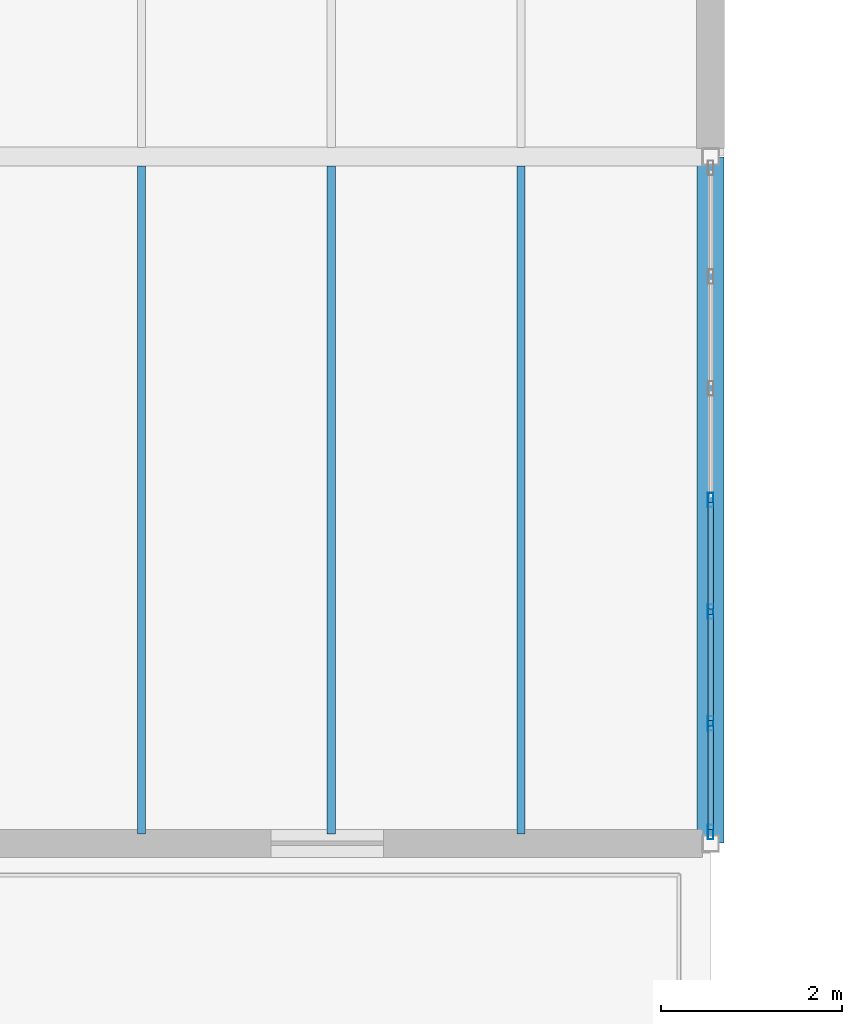
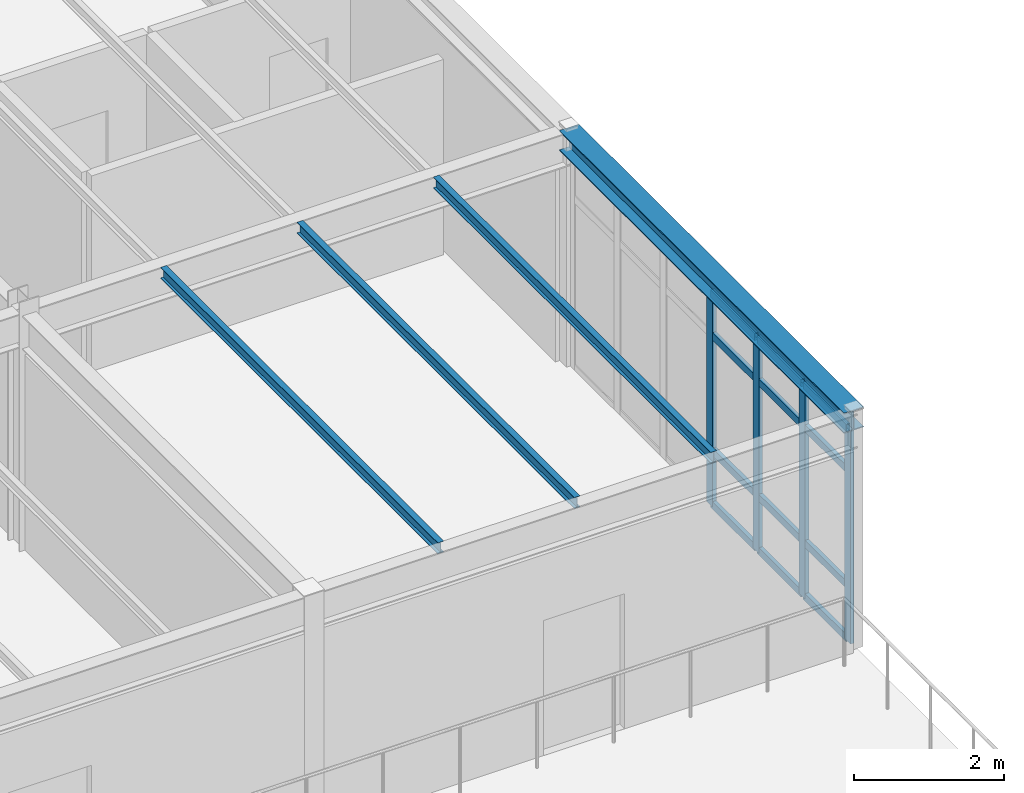
# One storey, part 18 of 65: 16 members, 4 beams, 1 element without a shape of its own.
"""IFC4 building model written with IfcOpenShell, lengths in metres."""

from ifc_helpers import new_model, si_unit, direction, frame, origin, origin_2d, place, context, subcontext, project, spatial, hollow_rectangle, i_section, extrude, material, layer, layer_set, material_profile, profile_set, type_object, element, aggregate, save


model = new_model("IFC4")

# Units and contexts
model_context = context("Model", 3, precision=1e-05, world=origin(), true_north=direction((0.0, 1.0)))
body_context = subcontext(model_context, "Body", "Model", "MODEL_VIEW")
ifc_project = project(units=[si_unit("LENGTHUNIT", "METRE"), si_unit("AREAUNIT", "SQUARE_METRE"), si_unit("VOLUMEUNIT", "CUBIC_METRE"), si_unit("PLANEANGLEUNIT", "RADIAN"), si_unit("MASSUNIT", "GRAM", prefix="KILO")], contexts=[model_context])

# Site, building, storey
site_placement = place(None, origin())
site = spatial("IfcSite", under=ifc_project, at=site_placement, CompositionType="ELEMENT")
building_placement = place(site_placement, origin())
building = spatial("IfcBuilding", under=site, at=building_placement, Name="Montecoro Central Library", CompositionType="ELEMENT")
storey_placement = place(building_placement, frame((0.0, 0.0, 17.340087890625)))
storey = spatial("IfcBuildingStorey", under=building, at=storey_placement, Name="L04", CompositionType="ELEMENT", Elevation=17.340087890625)

# Beams
ifc_material_1 = material(Name="Steel S355", Category="steel")
ifc_material_profile_1 = material_profile(ifc_material_1, i_section(OverallWidth=0.091064453125, OverallDepth=0.179931640625, WebThickness=0.00537109375, FlangeThickness=0.008056640625, at=origin_2d()), Name="IPE 180")
ifc_profile_set_1 = profile_set([ifc_material_profile_1], Name="Steel S355")
beam_type_1 = type_object("IfcBeamType", Name="BM-J-IPE180", PredefinedType="JOIST", material=ifc_profile_set_1)
for number, where, z_axis, x_axis, name in (
    (1, (110.5, 96.302001953125, 3.73486328125), (0.0, 1.0, 0.0), (-1.0, 0.0, 0.0), "V2-L04-JS-1415-NP-1"),
    (2, (112.60009765625, 96.302001953125, 3.73486328125), (0.0, 1.0, 0.0), (-1.0, 0.0, 0.0), "V2-L04-JS-1415-NP-2"),
    (3, (114.699951171875, 96.302001953125, 3.73486328125), (0.0, 1.0, 0.0), (-1.0, 0.0, 0.0), "V2-L04-JS-1415-NP-3"),
):
    element("IfcBeam", number, at=place(storey_placement, frame(where, z_axis=z_axis, x_axis=x_axis)), inside=storey, type_object=beam_type_1, Name=name, PredefinedType="JOIST", context=body_context, shape_type="SweptSolid", body=[
        extrude(i_section(OverallWidth=0.091064453125, OverallDepth=0.179931640625, WebThickness=0.00537109375, FlangeThickness=0.008056640625, at=origin_2d()), origin(), (0.0, 0.0, 1.0), 7.39599609375),
    ])
ifc_material_profile_2 = material_profile(ifc_material_1, i_section(OverallWidth=0.300048828125, OverallDepth=0.330078125, WebThickness=0.009521484375, FlangeThickness=0.0166015625, at=origin_2d()), Name="HEA 340")
ifc_profile_set_2 = profile_set([ifc_material_profile_2], Name="Steel S355")
beam_type_2 = type_object("IfcBeamType", Name="BM-SP-HEA340", PredefinedType="SPANDREL", material=ifc_profile_set_2)
beam_placement = place(storey_placement, frame((116.800048828125, 96.205078125, 3.659912109375), z_axis=(0.0, 1.0, 0.0), x_axis=(-1.0, 0.0, 0.0)))
element("IfcBeam", 4, at=beam_placement, inside=storey, type_object=beam_type_2, Name="V2-L04-BY-15-NP", PredefinedType="SPANDREL", context=body_context, shape_type="SweptSolid", body=[
    extrude(i_section(OverallWidth=0.300048828125, OverallDepth=0.330078125, WebThickness=0.009521484375, FlangeThickness=0.0166015625, at=origin_2d()), origin(), (0.0, 0.0, 1.0), 7.58984375),
])

# Curtain wall, members
ifc_material_2 = material(Name="Bronze-anodised aluminium and low-E glazing", Category="aluminium")
ifc_layer = layer(ifc_material_2, 0.159912109375)
ifc_layer_set = layer_set([ifc_layer], Name="Bronze-anodised aluminium and low-E glazing")
curtain_wall_type = type_object("IfcCurtainWallType", Name="CWT-021", PredefinedType="NOTDEFINED", material=ifc_layer_set)
curtain_wall_placement = place(storey_placement, origin())
curtain_wall = element("IfcCurtainWall", 5, at=curtain_wall_placement, inside=storey, type_object=curtain_wall_type, Name="V2-L04-CW-E0", PredefinedType="NOTDEFINED")
ifc_material_3 = material(Name="Bronze-anodised aluminium", Category="aluminium")
ifc_material_profile_3 = material_profile(ifc_material_3, hollow_rectangle(XDim=0.06005859375, YDim=0.159912109375, WallThickness=0.00390625, at=origin_2d()), Name="CWM 160x60x4.0")
ifc_profile_set_3 = profile_set([ifc_material_profile_3], Name="Bronze-anodised aluminium")
member_type_1 = type_object("IfcMemberType", Name="CWM-BRZ-60", PredefinedType="MULLION", material=ifc_profile_set_3)
member_1_placement = place(storey_placement, frame((116.800048828125, 96.322998046875, 0.0), z_axis=(0.0, 0.0, 1.0), x_axis=(-1.0, 0.0, 0.0)))
member_1 = element("IfcMember", 6, at=member_1_placement, type_object=member_type_1, Name="CW-021 mullion 1", PredefinedType="MULLION", context=body_context, shape_type="SweptSolid", body=[
    extrude(hollow_rectangle(XDim=0.06005859375, YDim=0.159912109375, WallThickness=0.00390625, at=origin_2d()), origin(), (0.0, 0.0, 1.0), 3.47998046875),
])
member_2_placement = place(storey_placement, frame((116.800048828125, 97.528564453125, 0.0), z_axis=(0.0, 0.0, 1.0), x_axis=(-1.0, 0.0, 0.0)))
member_2 = element("IfcMember", 7, at=member_2_placement, type_object=member_type_1, Name="CW-021 mullion 2", PredefinedType="MULLION", context=body_context, shape_type="SweptSolid", body=[
    extrude(hollow_rectangle(XDim=0.06005859375, YDim=0.159912109375, WallThickness=0.00390625, at=origin_2d()), origin(), (0.0, 0.0, 1.0), 3.47998046875),
])
member_3_placement = place(storey_placement, frame((116.800048828125, 98.764404296875, 0.0), z_axis=(0.0, 0.0, 1.0), x_axis=(-1.0, 0.0, 0.0)))
member_3 = element("IfcMember", 8, at=member_3_placement, type_object=member_type_1, Name="CW-021 mullion 3", PredefinedType="MULLION", context=body_context, shape_type="SweptSolid", body=[
    extrude(hollow_rectangle(XDim=0.06005859375, YDim=0.159912109375, WallThickness=0.00390625, at=origin_2d()), origin(), (0.0, 0.0, 1.0), 3.47998046875),
])
member_4_placement = place(storey_placement, frame((116.800048828125, 100.0, 0.0), z_axis=(0.0, 0.0, 1.0), x_axis=(-1.0, 0.0, 0.0)))
member_4 = element("IfcMember", 9, at=member_4_placement, type_object=member_type_1, Name="CW-021 mullion 4", PredefinedType="MULLION", context=body_context, shape_type="SweptSolid", body=[
    extrude(hollow_rectangle(XDim=0.06005859375, YDim=0.159912109375, WallThickness=0.00390625, at=origin_2d()), origin(), (0.0, 0.0, 1.0), 3.47998046875),
])
ifc_material_profile_4 = material_profile(ifc_material_3, hollow_rectangle(XDim=0.06005859375, YDim=0.1201171875, WallThickness=0.00390625, at=origin_2d()), Name="CWT 120x60x4.0")
ifc_profile_set_4 = profile_set([ifc_material_profile_4], Name="Bronze-anodised aluminium")
member_type_2 = type_object("IfcMemberType", Name="CWT-BRZ-60", PredefinedType="USERDEFINED", material=ifc_profile_set_4)
member_5_placement = place(storey_placement, frame((116.800048828125, 96.35302734375, 0.030029296875), z_axis=(0.0, 1.0, 0.0), x_axis=(-1.0, 0.0, 0.0)))
member_5 = element("IfcMember", 10, at=member_5_placement, type_object=member_type_2, Name="CW-021 transom 1.1", ObjectType="TRANSOM", PredefinedType="USERDEFINED", context=body_context, shape_type="SweptSolid", body=[
    extrude(hollow_rectangle(XDim=0.06005859375, YDim=0.1201171875, WallThickness=0.00390625, at=origin_2d()), origin(), (0.0, 0.0, 1.0), 1.145751953125),
])
member_6_placement = place(storey_placement, frame((116.800048828125, 96.35302734375, 0.89990234375), z_axis=(0.0, 1.0, 0.0), x_axis=(-1.0, 0.0, 0.0)))
member_6 = element("IfcMember", 11, at=member_6_placement, type_object=member_type_2, Name="CW-021 transom 1.2", ObjectType="TRANSOM", PredefinedType="USERDEFINED", context=body_context, shape_type="SweptSolid", body=[
    extrude(hollow_rectangle(XDim=0.06005859375, YDim=0.1201171875, WallThickness=0.00390625, at=origin_2d()), origin(), (0.0, 0.0, 1.0), 1.145751953125),
])
member_7_placement = place(storey_placement, frame((116.800048828125, 96.35302734375, 2.780029296875), z_axis=(0.0, 1.0, 0.0), x_axis=(-1.0, 0.0, 0.0)))
member_7 = element("IfcMember", 12, at=member_7_placement, type_object=member_type_2, Name="CW-021 transom 1.3", ObjectType="TRANSOM", PredefinedType="USERDEFINED", context=body_context, shape_type="SweptSolid", body=[
    extrude(hollow_rectangle(XDim=0.06005859375, YDim=0.1201171875, WallThickness=0.00390625, at=origin_2d()), origin(), (0.0, 0.0, 1.0), 1.145751953125),
])
member_8_placement = place(storey_placement, frame((116.800048828125, 96.35302734375, 3.449951171875), z_axis=(0.0, 1.0, 0.0), x_axis=(-1.0, 0.0, 0.0)))
member_8 = element("IfcMember", 13, at=member_8_placement, type_object=member_type_2, Name="CW-021 transom 1.4", ObjectType="TRANSOM", PredefinedType="USERDEFINED", context=body_context, shape_type="SweptSolid", body=[
    extrude(hollow_rectangle(XDim=0.06005859375, YDim=0.1201171875, WallThickness=0.00390625, at=origin_2d()), origin(), (0.0, 0.0, 1.0), 1.145751953125),
])
member_9_placement = place(storey_placement, frame((116.800048828125, 97.55859375, 0.030029296875), z_axis=(0.0, 1.0, 0.0), x_axis=(-1.0, 0.0, 0.0)))
member_9 = element("IfcMember", 14, at=member_9_placement, type_object=member_type_2, Name="CW-021 transom 2.1", ObjectType="TRANSOM", PredefinedType="USERDEFINED", context=body_context, shape_type="SweptSolid", body=[
    extrude(hollow_rectangle(XDim=0.06005859375, YDim=0.1201171875, WallThickness=0.00390625, at=origin_2d()), origin(), (0.0, 0.0, 1.0), 1.17578125),
])
member_10_placement = place(storey_placement, frame((116.800048828125, 97.55859375, 0.89990234375), z_axis=(0.0, 1.0, 0.0), x_axis=(-1.0, 0.0, 0.0)))
member_10 = element("IfcMember", 15, at=member_10_placement, type_object=member_type_2, Name="CW-021 transom 2.2", ObjectType="TRANSOM", PredefinedType="USERDEFINED", context=body_context, shape_type="SweptSolid", body=[
    extrude(hollow_rectangle(XDim=0.06005859375, YDim=0.1201171875, WallThickness=0.00390625, at=origin_2d()), origin(), (0.0, 0.0, 1.0), 1.17578125),
])
member_11_placement = place(storey_placement, frame((116.800048828125, 97.55859375, 2.780029296875), z_axis=(0.0, 1.0, 0.0), x_axis=(-1.0, 0.0, 0.0)))
member_11 = element("IfcMember", 16, at=member_11_placement, type_object=member_type_2, Name="CW-021 transom 2.3", ObjectType="TRANSOM", PredefinedType="USERDEFINED", context=body_context, shape_type="SweptSolid", body=[
    extrude(hollow_rectangle(XDim=0.06005859375, YDim=0.1201171875, WallThickness=0.00390625, at=origin_2d()), origin(), (0.0, 0.0, 1.0), 1.17578125),
])
member_12_placement = place(storey_placement, frame((116.800048828125, 97.55859375, 3.449951171875), z_axis=(0.0, 1.0, 0.0), x_axis=(-1.0, 0.0, 0.0)))
member_12 = element("IfcMember", 17, at=member_12_placement, type_object=member_type_2, Name="CW-021 transom 2.4", ObjectType="TRANSOM", PredefinedType="USERDEFINED", context=body_context, shape_type="SweptSolid", body=[
    extrude(hollow_rectangle(XDim=0.06005859375, YDim=0.1201171875, WallThickness=0.00390625, at=origin_2d()), origin(), (0.0, 0.0, 1.0), 1.17578125),
])
member_13_placement = place(storey_placement, frame((116.800048828125, 98.79443359375, 0.030029296875), z_axis=(0.0, 1.0, 0.0), x_axis=(-1.0, 0.0, 0.0)))
member_13 = element("IfcMember", 18, at=member_13_placement, type_object=member_type_2, Name="CW-021 transom 3.1", ObjectType="TRANSOM", PredefinedType="USERDEFINED", context=body_context, shape_type="SweptSolid", body=[
    extrude(hollow_rectangle(XDim=0.06005859375, YDim=0.1201171875, WallThickness=0.00390625, at=origin_2d()), origin(), (0.0, 0.0, 1.0), 1.175537109375),
])
member_14_placement = place(storey_placement, frame((116.800048828125, 98.79443359375, 0.89990234375), z_axis=(0.0, 1.0, 0.0), x_axis=(-1.0, 0.0, 0.0)))
member_14 = element("IfcMember", 19, at=member_14_placement, type_object=member_type_2, Name="CW-021 transom 3.2", ObjectType="TRANSOM", PredefinedType="USERDEFINED", context=body_context, shape_type="SweptSolid", body=[
    extrude(hollow_rectangle(XDim=0.06005859375, YDim=0.1201171875, WallThickness=0.00390625, at=origin_2d()), origin(), (0.0, 0.0, 1.0), 1.175537109375),
])
member_15_placement = place(storey_placement, frame((116.800048828125, 98.79443359375, 2.780029296875), z_axis=(0.0, 1.0, 0.0), x_axis=(-1.0, 0.0, 0.0)))
member_15 = element("IfcMember", 20, at=member_15_placement, type_object=member_type_2, Name="CW-021 transom 3.3", ObjectType="TRANSOM", PredefinedType="USERDEFINED", context=body_context, shape_type="SweptSolid", body=[
    extrude(hollow_rectangle(XDim=0.06005859375, YDim=0.1201171875, WallThickness=0.00390625, at=origin_2d()), origin(), (0.0, 0.0, 1.0), 1.175537109375),
])
member_16_placement = place(storey_placement, frame((116.800048828125, 98.79443359375, 3.449951171875), z_axis=(0.0, 1.0, 0.0), x_axis=(-1.0, 0.0, 0.0)))
member_16 = element("IfcMember", 21, at=member_16_placement, type_object=member_type_2, Name="CW-021 transom 3.4", ObjectType="TRANSOM", PredefinedType="USERDEFINED", context=body_context, shape_type="SweptSolid", body=[
    extrude(hollow_rectangle(XDim=0.06005859375, YDim=0.1201171875, WallThickness=0.00390625, at=origin_2d()), origin(), (0.0, 0.0, 1.0), 1.175537109375),
])
aggregate(curtain_wall, [member_1, member_2, member_3, member_4, member_5, member_6, member_7, member_8, member_9, member_10, member_11, member_12, member_13, member_14, member_15, member_16])

save(model, "model.ifc")
